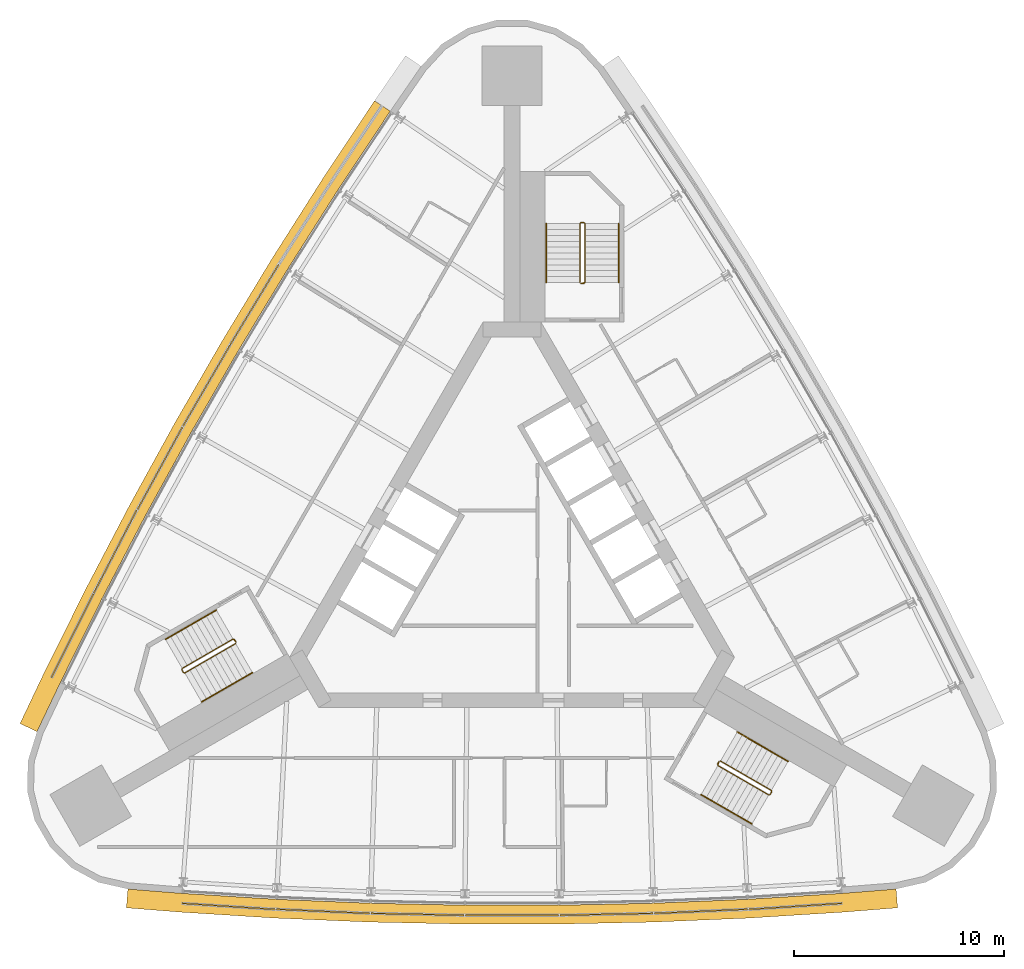
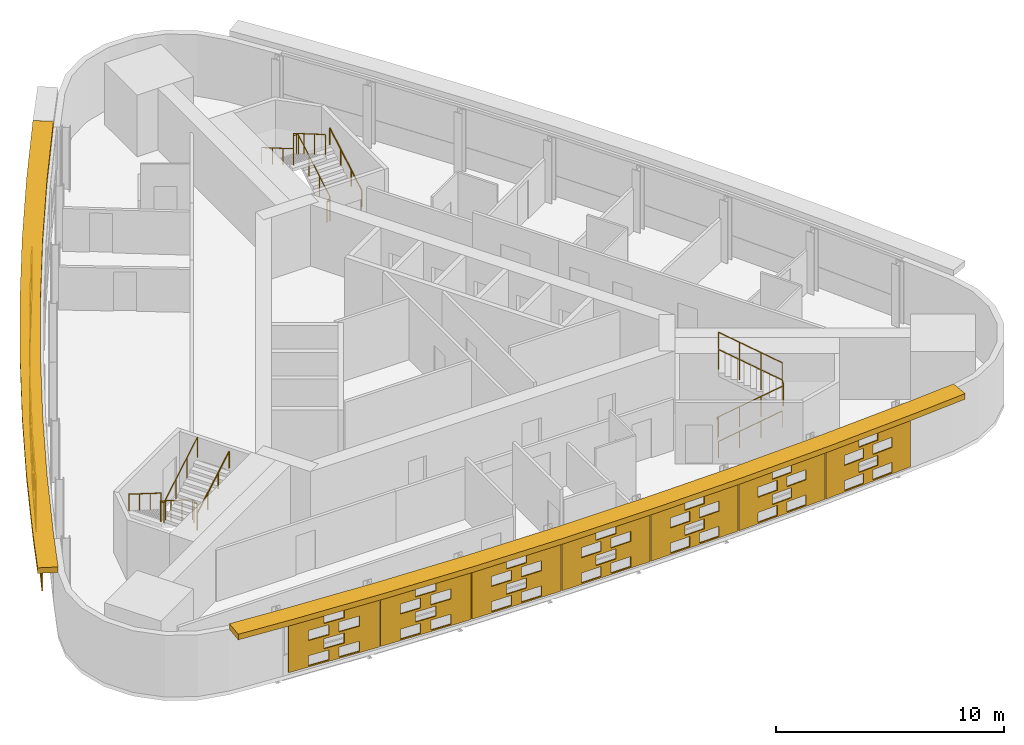
# One storey, part 11 of 12: 14 shading devices, 9 railings.
"""IFC4 building model written with IfcOpenShell, lengths in metres."""

from ifc_helpers import new_model, si_unit, direction, frame, origin, origin_2d, place, context, subcontext, project, spatial, polyline, circle, outline, extrude, material, material_profile, profile_set, type_object, element, save


model = new_model("IFC4")

# Units and contexts
model_context = context("Model", 3, precision=1e-05, world=origin(), true_north=direction((0.0, 1.0)))
body_context = subcontext(model_context, "Body", "Model", "MODEL_VIEW")
ifc_project = project(units=[si_unit("LENGTHUNIT", "METRE"), si_unit("AREAUNIT", "SQUARE_METRE"), si_unit("VOLUMEUNIT", "CUBIC_METRE"), si_unit("PLANEANGLEUNIT", "RADIAN"), si_unit("MASSUNIT", "GRAM", prefix="KILO")], contexts=[model_context])

# Site, building, storey
site_placement = place(None, origin())
site = spatial("IfcSite", under=ifc_project, at=site_placement, CompositionType="ELEMENT")
building_placement = place(site_placement, origin())
building = spatial("IfcBuilding", under=site, at=building_placement, Name="Noor Cloister Tower", CompositionType="ELEMENT")
storey_placement = place(building_placement, frame((0.0, 0.0, 165.300048828125)))
storey = spatial("IfcBuildingStorey", under=building, at=storey_placement, Name="L42", CompositionType="ELEMENT", Elevation=165.300048828125)

# Shading devices
ifc_material_1 = material(Name="Limestone", Category="masonry")
ifc_material_profile = material_profile(ifc_material_1, outline(polyline([(-2.22998046875, -1.35009765625), (2.22998046875, -1.35009765625), (2.22998046875, 1.35009765625), (-2.22998046875, 1.35009765625), (-2.22998046875, -1.35009765625)]), holes=[polyline([(-1.25, -1.282470703125), (-0.25, -1.282470703125), (-0.25, -0.742431640625), (-1.25, -0.742431640625), (-1.25, -1.282470703125)]), polyline([(0.25, -1.282470703125), (1.25, -1.282470703125), (1.25, -0.742431640625), (0.25, -0.742431640625), (0.25, -1.282470703125)]), polyline([(-0.5, -0.607421875), (0.5, -0.607421875), (0.5, -0.0673828125), (-0.5, -0.0673828125), (-0.5, -0.607421875)]), polyline([(-1.25, 0.0673828125), (-0.25, 0.0673828125), (-0.25, 0.607421875), (-1.25, 0.607421875), (-1.25, 0.0673828125)]), polyline([(0.25, 0.0673828125), (1.25, 0.0673828125), (1.25, 0.607421875), (0.25, 0.607421875), (0.25, 0.0673828125)]), polyline([(-0.5, 0.742431640625), (0.5, 0.742431640625), (0.5, 1.282470703125), (-0.5, 1.282470703125), (-0.5, 0.742431640625)])]), Name="Woven screen 30 percent open")
ifc_profile_set = profile_set([ifc_material_profile], Name="Limestone")
shading_device_type_1 = type_object("IfcShadingDeviceType", Name="SCREEN woven limestone 30 percent open", PredefinedType="USERDEFINED", material=ifc_profile_set)
for number, where, z_axis, x_axis, name in (
    (1, (-12.261474609375, 12.28564453125, 1.849853515625), (-0.855690023312, 0.517488728384, 0.0), (-0.517488728384, -0.855690023312, 0.0), "SCREEN L42 3"),
    (2, (-14.556884765625, 8.404296875, 1.849853515625), (-0.86496035152, 0.501840203948, 0.0), (-0.501840203948, -0.86496035152, 0.0), "SCREEN L42 4"),
):
    element("IfcShadingDevice", number, at=place(storey_placement, frame(where, z_axis=z_axis, x_axis=x_axis)), inside=storey, type_object=shading_device_type_1, Name=name, ObjectType="SCREEN", PredefinedType="USERDEFINED", context=body_context, shape_type="SweptSolid", body=[
        extrude(outline(polyline([(-2.22998046875, -1.35009765625), (2.22998046875, -1.35009765625), (2.22998046875, 1.35009765625), (-2.22998046875, 1.35009765625), (-2.22998046875, -1.35009765625)]), holes=[polyline([(-1.25, -1.282470703125), (-0.25, -1.282470703125), (-0.25, -0.742431640625), (-1.25, -0.742431640625), (-1.25, -1.282470703125)]), polyline([(0.25, -1.282470703125), (1.25, -1.282470703125), (1.25, -0.742431640625), (0.25, -0.742431640625), (0.25, -1.282470703125)]), polyline([(-0.5, -0.607421875), (0.5, -0.607421875), (0.5, -0.0673828125), (-0.5, -0.0673828125), (-0.5, -0.607421875)]), polyline([(-1.25, 0.0673828125), (-0.25, 0.0673828125), (-0.25, 0.607421875), (-1.25, 0.607421875), (-1.25, 0.0673828125)]), polyline([(0.25, 0.0673828125), (1.25, 0.0673828125), (1.25, 0.607421875), (0.25, 0.607421875), (0.25, 0.0673828125)]), polyline([(-0.5, 0.742431640625), (0.5, 0.742431640625), (0.5, 1.282470703125), (-0.5, 1.282470703125), (-0.5, 0.742431640625)])]), origin(), (0.0, 0.0, 1.0), 0.059814453125),
    ])
for number, where, z_axis, x_axis, name in (
    (3, (-16.770263671875, 4.47607421875, 1.849853515625), (-0.877584848731, 0.479421352547, 0.0), (-0.479421352547, -0.877584848731, 0.0), "SCREEN L42 5"),
    (4, (-18.901123046875, 0.502197265625, 1.849853515625), (-0.887816162103, 0.460198285861, 0.0), (-0.460198285861, -0.887816162103, 0.0), "SCREEN L42 6"),
    (5, (-20.9482421875, -3.515625, 1.849853515625), (-0.894427191, 0.4472135955, 0.0), (-0.4472135955, -0.894427191, 0.0), "SCREEN L42 7"),
):
    element("IfcShadingDevice", number, at=place(storey_placement, frame(where, z_axis=z_axis, x_axis=x_axis)), inside=storey, type_object=shading_device_type_1, Name=name, ObjectType="SCREEN", PredefinedType="USERDEFINED", context=body_context, shape_type="SweptSolid", body=[
        extrude(outline(polyline([(-2.22998046875, -1.35009765625), (2.22998046875, -1.35009765625), (2.22998046875, 1.35009765625), (-2.22998046875, 1.35009765625), (-2.22998046875, -1.35009765625)]), holes=[polyline([(-1.25, -1.282470703125), (-0.25, -1.282470703125), (-0.25, -0.742431640625), (-1.25, -0.742431640625), (-1.25, -1.282470703125)]), polyline([(0.25, -1.282470703125), (1.25, -1.282470703125), (1.25, -0.742431640625), (0.25, -0.742431640625), (0.25, -1.282470703125)]), polyline([(-0.5, -0.607421875), (0.5, -0.607421875), (0.5, -0.0673828125), (-0.5, -0.0673828125), (-0.5, -0.607421875)]), polyline([(-1.25, 0.0673828125), (-0.25, 0.0673828125), (-0.25, 0.607421875), (-1.25, 0.607421875), (-1.25, 0.0673828125)]), polyline([(0.25, 0.0673828125), (1.25, 0.0673828125), (1.25, 0.607421875), (0.25, 0.607421875), (0.25, 0.0673828125)]), polyline([(-0.5, 0.742431640625), (0.5, 0.742431640625), (0.5, 1.282470703125), (-0.5, 1.282470703125), (-0.5, 0.742431640625)])]), origin(), (0.0, 0.0, 1.0), 0.06005859375),
    ])
shading_device_1_placement = place(storey_placement, frame((-13.5185546875, -16.3837890625, 1.849853515625), z_axis=(-0.064903515062, -0.997891544073, 0.0), x_axis=(0.997891544073, -0.064903515062, 0.0)))
element("IfcShadingDevice", 6, at=shading_device_1_placement, inside=storey, type_object=shading_device_type_1, Name="SCREEN L42 1", ObjectType="SCREEN", PredefinedType="USERDEFINED", context=body_context, shape_type="SweptSolid", body=[
    extrude(outline(polyline([(-2.22998046875, -1.35009765625), (2.22998046875, -1.35009765625), (2.22998046875, 1.35009765625), (-2.22998046875, 1.35009765625), (-2.22998046875, -1.35009765625)]), holes=[polyline([(-1.25, -1.282470703125), (-0.25, -1.282470703125), (-0.25, -0.742431640625), (-1.25, -0.742431640625), (-1.25, -1.282470703125)]), polyline([(0.25, -1.282470703125), (1.25, -1.282470703125), (1.25, -0.742431640625), (0.25, -0.742431640625), (0.25, -1.282470703125)]), polyline([(-0.5, -0.607421875), (0.5, -0.607421875), (0.5, -0.0673828125), (-0.5, -0.0673828125), (-0.5, -0.607421875)]), polyline([(-1.25, 0.0673828125), (-0.25, 0.0673828125), (-0.25, 0.607421875), (-1.25, 0.607421875), (-1.25, 0.0673828125)]), polyline([(0.25, 0.0673828125), (1.25, 0.0673828125), (1.25, 0.607421875), (0.25, 0.607421875), (0.25, 0.0673828125)]), polyline([(-0.5, 0.742431640625), (0.5, 0.742431640625), (0.5, 1.282470703125), (-0.5, 1.282470703125), (-0.5, 0.742431640625)])]), origin(), (0.0, 0.0, 1.0), 0.060302734375),
])
for number, where, z_axis, x_axis, name in (
    (7, (-9.015625, -16.619873046875, 1.849853515625), (-0.044670810456, -0.999001761106, 0.0), (0.999001761106, -0.044670810456, 0.0), "SCREEN L42 2"),
    (8, (-4.5087890625, -16.761474609375, 1.849853515625), (-0.020321006241, -0.999793507033, 0.0), (0.999793507033, -0.020321006241, 0.0), "SCREEN L42 3"),
):
    element("IfcShadingDevice", number, at=place(storey_placement, frame(where, z_axis=z_axis, x_axis=x_axis)), inside=storey, type_object=shading_device_type_1, Name=name, ObjectType="SCREEN", PredefinedType="USERDEFINED", context=body_context, shape_type="SweptSolid", body=[
        extrude(outline(polyline([(-2.22998046875, -1.35009765625), (2.22998046875, -1.35009765625), (2.22998046875, 1.35009765625), (-2.22998046875, 1.35009765625), (-2.22998046875, -1.35009765625)]), holes=[polyline([(-1.25, -1.282470703125), (-0.25, -1.282470703125), (-0.25, -0.742431640625), (-1.25, -0.742431640625), (-1.25, -1.282470703125)]), polyline([(0.25, -1.282470703125), (1.25, -1.282470703125), (1.25, -0.742431640625), (0.25, -0.742431640625), (0.25, -1.282470703125)]), polyline([(-0.5, -0.607421875), (0.5, -0.607421875), (0.5, -0.0673828125), (-0.5, -0.0673828125), (-0.5, -0.607421875)]), polyline([(-1.25, 0.0673828125), (-0.25, 0.0673828125), (-0.25, 0.607421875), (-1.25, 0.607421875), (-1.25, 0.0673828125)]), polyline([(0.25, 0.0673828125), (1.25, 0.0673828125), (1.25, 0.607421875), (0.25, 0.607421875), (0.25, 0.0673828125)]), polyline([(-0.5, 0.742431640625), (0.5, 0.742431640625), (0.5, 1.282470703125), (-0.5, 1.282470703125), (-0.5, 0.742431640625)])]), origin(), (0.0, 0.0, 1.0), 0.06005859375),
    ])
shading_device_2_placement = place(storey_placement, frame((0.0, -16.808837890625, 1.849853515625), z_axis=(0.0, -1.0, 0.0), x_axis=(1.0, 0.0, 0.0)))
element("IfcShadingDevice", 9, at=shading_device_2_placement, inside=storey, type_object=shading_device_type_1, Name="SCREEN L42 4", ObjectType="SCREEN", PredefinedType="USERDEFINED", context=body_context, shape_type="SweptSolid", body=[
    extrude(outline(polyline([(-2.22998046875, -1.35009765625), (2.22998046875, -1.35009765625), (2.22998046875, 1.35009765625), (-2.22998046875, 1.35009765625), (-2.22998046875, -1.35009765625)]), holes=[polyline([(-1.25, -1.282470703125), (-0.25, -1.282470703125), (-0.25, -0.742431640625), (-1.25, -0.742431640625), (-1.25, -1.282470703125)]), polyline([(0.25, -1.282470703125), (1.25, -1.282470703125), (1.25, -0.742431640625), (0.25, -0.742431640625), (0.25, -1.282470703125)]), polyline([(-0.5, -0.607421875), (0.5, -0.607421875), (0.5, -0.0673828125), (-0.5, -0.0673828125), (-0.5, -0.607421875)]), polyline([(-1.25, 0.0673828125), (-0.25, 0.0673828125), (-0.25, 0.607421875), (-1.25, 0.607421875), (-1.25, 0.0673828125)]), polyline([(0.25, 0.0673828125), (1.25, 0.0673828125), (1.25, 0.607421875), (0.25, 0.607421875), (0.25, 0.0673828125)]), polyline([(-0.5, 0.742431640625), (0.5, 0.742431640625), (0.5, 1.282470703125), (-0.5, 1.282470703125), (-0.5, 0.742431640625)])]), origin(), (0.0, 0.0, 1.0), 0.059814453125),
])
for number, where, z_axis, x_axis, name in (
    (10, (4.5087890625, -16.761474609375, 1.849853515625), (0.020321006241, -0.999793507033, 0.0), (0.999793507033, 0.020321006241, 0.0), "SCREEN L42 5"),
    (11, (9.015625, -16.619873046875, 1.849853515625), (0.044670810456, -0.999001761106, 0.0), (0.999001761106, 0.044670810456, 0.0), "SCREEN L42 6"),
):
    element("IfcShadingDevice", number, at=place(storey_placement, frame(where, z_axis=z_axis, x_axis=x_axis)), inside=storey, type_object=shading_device_type_1, Name=name, ObjectType="SCREEN", PredefinedType="USERDEFINED", context=body_context, shape_type="SweptSolid", body=[
        extrude(outline(polyline([(-2.22998046875, -1.35009765625), (2.22998046875, -1.35009765625), (2.22998046875, 1.35009765625), (-2.22998046875, 1.35009765625), (-2.22998046875, -1.35009765625)]), holes=[polyline([(-1.25, -1.282470703125), (-0.25, -1.282470703125), (-0.25, -0.742431640625), (-1.25, -0.742431640625), (-1.25, -1.282470703125)]), polyline([(0.25, -1.282470703125), (1.25, -1.282470703125), (1.25, -0.742431640625), (0.25, -0.742431640625), (0.25, -1.282470703125)]), polyline([(-0.5, -0.607421875), (0.5, -0.607421875), (0.5, -0.0673828125), (-0.5, -0.0673828125), (-0.5, -0.607421875)]), polyline([(-1.25, 0.0673828125), (-0.25, 0.0673828125), (-0.25, 0.607421875), (-1.25, 0.607421875), (-1.25, 0.0673828125)]), polyline([(0.25, 0.0673828125), (1.25, 0.0673828125), (1.25, 0.607421875), (0.25, 0.607421875), (0.25, 0.0673828125)]), polyline([(-0.5, 0.742431640625), (0.5, 0.742431640625), (0.5, 1.282470703125), (-0.5, 1.282470703125), (-0.5, 0.742431640625)])]), origin(), (0.0, 0.0, 1.0), 0.06005859375),
    ])
shading_device_3_placement = place(storey_placement, frame((13.5185546875, -16.3837890625, 1.849853515625), z_axis=(0.064903515062, -0.997891544073, 0.0), x_axis=(0.997891544073, 0.064903515062, 0.0)))
element("IfcShadingDevice", 12, at=shading_device_3_placement, inside=storey, type_object=shading_device_type_1, Name="SCREEN L42 7", ObjectType="SCREEN", PredefinedType="USERDEFINED", context=body_context, shape_type="SweptSolid", body=[
    extrude(outline(polyline([(-2.22998046875, -1.35009765625), (2.22998046875, -1.35009765625), (2.22998046875, 1.35009765625), (-2.22998046875, 1.35009765625), (-2.22998046875, -1.35009765625)]), holes=[polyline([(-1.25, -1.282470703125), (-0.25, -1.282470703125), (-0.25, -0.742431640625), (-1.25, -0.742431640625), (-1.25, -1.282470703125)]), polyline([(0.25, -1.282470703125), (1.25, -1.282470703125), (1.25, -0.742431640625), (0.25, -0.742431640625), (0.25, -1.282470703125)]), polyline([(-0.5, -0.607421875), (0.5, -0.607421875), (0.5, -0.0673828125), (-0.5, -0.0673828125), (-0.5, -0.607421875)]), polyline([(-1.25, 0.0673828125), (-0.25, 0.0673828125), (-0.25, 0.607421875), (-1.25, 0.607421875), (-1.25, 0.0673828125)]), polyline([(0.25, 0.0673828125), (1.25, 0.0673828125), (1.25, 0.607421875), (0.25, 0.607421875), (0.25, 0.0673828125)]), polyline([(-0.5, 0.742431640625), (0.5, 0.742431640625), (0.5, 1.282470703125), (-0.5, 1.282470703125), (-0.5, 0.742431640625)])]), origin(), (0.0, 0.0, 1.0), 0.060302734375),
])
ifc_material_2 = material(Name="Limestone", Category="masonry")
shading_device_type_2 = type_object("IfcShadingDeviceType", Name="SUNSHADE limestone band 900", PredefinedType="USERDEFINED", material=ifc_material_2)
shading_device_4_placement = place(storey_placement, frame((0.0, 0.0, 3.300048828125)))
element("IfcShadingDevice", 13, at=shading_device_4_placement, inside=storey, type_object=shading_device_type_2, Name="SUNSHADE L42 1", ObjectType="SUNSHADE", PredefinedType="USERDEFINED", context=body_context, shape_type="SweptSolid", body=[
    extrude(outline(polyline([(-6.559326171875, 22.0224609375), (-9.0546875, 18.2666015625), (-11.47607421875, 14.451171875), (-13.81689453125, 10.5859375), (-16.076171875, 6.672607421875), (-18.253173828125, 2.712890625), (-20.3466796875, -1.291748046875), (-22.35498046875, -5.33740234375), (-23.47509765625, -7.69091796875), (-22.66259765625, -8.077880859375), (-21.54541015625, -5.73095703125), (-19.544677734375, -1.7001953125), (-17.4599609375, 2.28759765625), (-15.2919921875, 6.23095703125), (-13.0419921875, 10.1279296875), (-10.7109375, 13.97705078125), (-8.2998046875, 17.7763671875), (-5.8095703125, 21.5244140625), (-6.559326171875, 22.0224609375)])), origin(), (0.0, 0.0, 1.0), 0.2998046875),
])
shading_device_5_placement = place(storey_placement, frame((0.0, 0.0, 3.300048828125)))
element("IfcShadingDevice", 14, at=shading_device_5_placement, inside=storey, type_object=shading_device_type_2, Name="SUNSHADE L42 2", ObjectType="SUNSHADE", PredefinedType="USERDEFINED", context=body_context, shape_type="SweptSolid", body=[
    extrude(outline(polyline([(-18.398193359375, -16.484619140625), (-15.7998046875, -16.691162109375), (-11.2919921875, -16.974853515625), (-6.777099609375, -17.1640625), (-2.25927734375, -17.2587890625), (2.25927734375, -17.2587890625), (6.777099609375, -17.1640625), (11.2919921875, -16.974853515625), (15.7998046875, -16.691162109375), (18.398193359375, -16.484619140625), (18.326904296875, -15.58740234375), (15.73583984375, -15.79345703125), (11.244873046875, -16.075927734375), (6.748779296875, -16.264404296875), (2.25, -16.358642578125), (-2.25, -16.358642578125), (-6.748779296875, -16.264404296875), (-11.244873046875, -16.075927734375), (-15.73583984375, -15.79345703125), (-18.326904296875, -15.58740234375), (-18.398193359375, -16.484619140625)])), origin(), (0.0, 0.0, 1.0), 0.2998046875),
])

# Railings
ifc_material_3 = material(Name="Stainless steel", Category="steel")
railing_type_1 = type_object("IfcRailingType", Name="Stair guard 1100", PredefinedType="GUARDRAIL", material=ifc_material_3)
railing_1_placement = place(storey_placement, frame((3.435546875, 13.306396484375, 0.0)))
element("IfcRailing", 15, at=railing_1_placement, inside=storey, type_object=railing_type_1, Name="Stair guard ST1 L42", PredefinedType="GUARDRAIL", context=body_context, shape_type="SweptSolid", body=[
    extrude(circle(Radius=0.02392578125, at=origin_2d()), frame((0.0, 0.0, 1.076171875), z_axis=(-1.0, 0.0, 0.0), x_axis=(0.0, -1.0, 0.0)), (0.0, 0.0, 1.0), 0.14990234375),
    extrude(circle(Radius=0.02392578125, at=origin_2d()), frame((-0.14990234375, 0.0, 1.076171875), z_axis=(0.759870394187, 0.190199549216, 0.621627795), x_axis=(-0.242814311512, 0.970072785993, 0.0)), (0.0, 0.0, 1.0), 0.26318359375),
    extrude(circle(Radius=0.02392578125, at=origin_2d()), frame((0.050048828125, 0.050048828125, 1.23974609375), z_axis=(0.0, 0.863360870873, 0.504586966384), x_axis=(-1.0, 0.0, 0.0)), (0.0, 0.0, 1.0), 3.2431640625),
    extrude(circle(Radius=0.02392578125, at=origin_2d()), frame((0.050048828125, 2.85009765625, 2.8759765625), z_axis=(-0.708833529934, 0.705375805398, 0.0), x_axis=(-0.705375805398, -0.708833529934, 0.0)), (0.0, 0.0, 1.0), 0.070556640625),
    extrude(circle(Radius=0.02392578125, at=origin_2d()), frame((0.0, 2.89990234375, 2.8759765625), z_axis=(-1.0, 0.0, 0.0), x_axis=(0.0, -1.0, 0.0)), (0.0, 0.0, 1.0), 0.14990234375),
    extrude(circle(Radius=0.02392578125, at=origin_2d()), frame((-0.14990234375, 2.89990234375, 2.8759765625), z_axis=(-0.280916556609, -0.279546231943, 0.91811752648), x_axis=(0.705375805398, -0.708833529934, 0.0)), (0.0, 0.0, 1.0), 0.17822265625),
    extrude(circle(Radius=0.02392578125, at=origin_2d()), frame((-0.199951171875, 2.85009765625, 3.03955078125), z_axis=(0.0, -0.863393664356, 0.504530851732), x_axis=(1.0, 0.0, 0.0)), (0.0, 0.0, 1.0), 3.2431640625),
    extrude(circle(Radius=0.02099609375, at=origin_2d()), origin(), (0.0, 0.0, 1.0), 1.052001953125),
    extrude(circle(Radius=0.02099609375, at=origin_2d()), frame((-0.14990234375, 0.0, 0.0)), (0.0, 0.0, 1.0), 1.052001953125),
    extrude(circle(Radius=0.02099609375, at=origin_2d()), frame((0.050048828125, 0.050048828125, 0.16357421875)), (0.0, 0.0, 1.0), 1.052001953125),
    extrude(circle(Radius=0.02099609375, at=origin_2d()), frame((0.050048828125, 0.9833984375, 0.708984375)), (0.0, 0.0, 1.0), 1.052001953125),
    extrude(circle(Radius=0.02099609375, at=origin_2d()), frame((0.050048828125, 1.916748046875, 1.254638671875)), (0.0, 0.0, 1.0), 1.052001953125),
    extrude(circle(Radius=0.02099609375, at=origin_2d()), frame((0.050048828125, 2.85009765625, 1.800048828125)), (0.0, 0.0, 1.0), 1.052001953125),
    extrude(circle(Radius=0.02099609375, at=origin_2d()), frame((0.0, 2.89990234375, 1.800048828125)), (0.0, 0.0, 1.0), 1.052001953125),
    extrude(circle(Radius=0.02099609375, at=origin_2d()), frame((-0.14990234375, 2.89990234375, 1.800048828125)), (0.0, 0.0, 1.0), 1.052001953125),
    extrude(circle(Radius=0.02099609375, at=origin_2d()), frame((-0.199951171875, 2.85009765625, 1.963623046875)), (0.0, 0.0, 1.0), 1.052001953125),
    extrude(circle(Radius=0.02099609375, at=origin_2d()), frame((-0.199951171875, 1.916748046875, 2.509033203125)), (0.0, 0.0, 1.0), 1.052001953125),
    extrude(circle(Radius=0.02099609375, at=origin_2d()), frame((-0.199951171875, 0.9833984375, 3.054443359375)), (0.0, 0.0, 1.0), 1.052001953125),
    extrude(circle(Radius=0.02099609375, at=origin_2d()), frame((-0.199951171875, 0.050048828125, 3.599853515625)), (0.0, 0.0, 1.0), 1.052001953125),
])
railing_2_placement = place(storey_placement, frame((-13.241455078125, -3.677734375, 0.0)))
element("IfcRailing", 16, at=railing_2_placement, inside=storey, type_object=railing_type_1, Name="Stair guard ST2 L42", PredefinedType="GUARDRAIL", context=body_context, shape_type="SweptSolid", body=[
    extrude(circle(Radius=0.02392578125, at=origin_2d()), frame((0.0, 0.0, 1.076171875), z_axis=(0.499112439033, -0.866537231285, 0.0), x_axis=(0.866537231285, 0.499112439033, 0.0)), (0.0, 0.0, 1.0), 0.150146484375),
    extrude(circle(Radius=0.02392578125, at=origin_2d()), frame((0.074951171875, -0.130126953125, 1.076171875), z_axis=(-0.544565797804, 0.563119998752, 0.621565731736), x_axis=(-0.718850276695, -0.695164929852, 0.0)), (0.0, 0.0, 1.0), 0.26318359375),
    extrude(circle(Radius=0.02392578125, at=origin_2d()), frame((-0.068359375, 0.01806640625, 1.23974609375), z_axis=(-0.747689811644, -0.431660630283, 0.504607813879), x_axis=(0.49998411664, -0.866034573852, 0.0)), (0.0, 0.0, 1.0), 3.2431640625),
    extrude(circle(Radius=0.02392578125, at=origin_2d()), frame((-2.4931640625, -1.3818359375, 2.8759765625), z_axis=(-0.258736085224, -0.965948051503, 0.0), x_axis=(0.965948051503, -0.258736085224, 0.0)), (0.0, 0.0, 1.0), 0.07080078125),
    extrude(circle(Radius=0.02392578125, at=origin_2d()), frame((-2.511474609375, -1.4501953125, 2.8759765625), z_axis=(0.499816412211, -0.866131372301, 0.0), x_axis=(0.866131372301, 0.499816412211, 0.0)), (0.0, 0.0, 1.0), 0.14990234375),
    extrude(circle(Radius=0.02392578125, at=origin_2d()), frame((-2.4365234375, -1.580078125, 2.8759765625), z_axis=(0.383552647116, -0.102737316192, 0.917786691313), x_axis=(0.258736085224, 0.965948051503, 0.0)), (0.0, 0.0, 1.0), 0.17822265625),
    extrude(circle(Radius=0.02392578125, at=origin_2d()), frame((-2.3681640625, -1.598388671875, 3.03955078125), z_axis=(0.747693913401, 0.431738279637, 0.504535300807), x_axis=(-0.500049511043, 0.865996816683, 0.0)), (0.0, 0.0, 1.0), 3.2431640625),
    extrude(circle(Radius=0.02099609375, at=origin_2d()), origin(), (0.0, 0.0, 1.0), 1.052001953125),
    extrude(circle(Radius=0.02099609375, at=origin_2d()), frame((0.074951171875, -0.130126953125, 0.0)), (0.0, 0.0, 1.0), 1.052001953125),
    extrude(circle(Radius=0.02099609375, at=origin_2d()), frame((-0.068359375, 0.01806640625, 0.16357421875)), (0.0, 0.0, 1.0), 1.052001953125),
    extrude(circle(Radius=0.02099609375, at=origin_2d()), frame((-0.876708984375, -0.448486328125, 0.708984375)), (0.0, 0.0, 1.0), 1.052001953125),
    extrude(circle(Radius=0.02099609375, at=origin_2d()), frame((-1.684814453125, -0.915283203125, 1.254638671875)), (0.0, 0.0, 1.0), 1.052001953125),
    extrude(circle(Radius=0.02099609375, at=origin_2d()), frame((-2.4931640625, -1.3818359375, 1.800048828125)), (0.0, 0.0, 1.0), 1.052001953125),
    extrude(circle(Radius=0.02099609375, at=origin_2d()), frame((-2.511474609375, -1.4501953125, 1.800048828125)), (0.0, 0.0, 1.0), 1.052001953125),
    extrude(circle(Radius=0.02099609375, at=origin_2d()), frame((-2.4365234375, -1.580078125, 1.800048828125)), (0.0, 0.0, 1.0), 1.052001953125),
    extrude(circle(Radius=0.02099609375, at=origin_2d()), frame((-2.3681640625, -1.598388671875, 1.963623046875)), (0.0, 0.0, 1.0), 1.052001953125),
    extrude(circle(Radius=0.02099609375, at=origin_2d()), frame((-1.559814453125, -1.131591796875, 2.509033203125)), (0.0, 0.0, 1.0), 1.052001953125),
    extrude(circle(Radius=0.02099609375, at=origin_2d()), frame((-0.751708984375, -0.6650390625, 3.054443359375)), (0.0, 0.0, 1.0), 1.052001953125),
    extrude(circle(Radius=0.02099609375, at=origin_2d()), frame((0.056640625, -0.1982421875, 3.599853515625)), (0.0, 0.0, 1.0), 1.052001953125),
])
railing_3_placement = place(storey_placement, frame((9.805908203125, -9.628662109375, 0.0)))
element("IfcRailing", 17, at=railing_3_placement, inside=storey, type_object=railing_type_1, Name="Stair guard ST3 L42", PredefinedType="GUARDRAIL", context=body_context, shape_type="SweptSolid", body=[
    extrude(circle(Radius=0.02392578125, at=origin_2d()), frame((0.0, 0.0, 1.076171875), z_axis=(0.499112439033, 0.866537231285, 0.0), x_axis=(-0.866537231285, 0.499112439033, 0.0)), (0.0, 0.0, 1.0), 0.150146484375),
    extrude(circle(Radius=0.02392578125, at=origin_2d()), frame((0.074951171875, 0.130126953125, 1.076171875), z_axis=(-0.215214839654, -0.753251938789, 0.621525614518), x_axis=(0.961523947641, -0.274721127897, 0.0)), (0.0, 0.0, 1.0), 0.26318359375),
    extrude(circle(Radius=0.02392578125, at=origin_2d()), frame((0.018310546875, -0.068115234375, 1.23974609375), z_axis=(0.747665513933, -0.431721881032, 0.504591415616), x_axis=(0.500049511043, 0.865996816683, 0.0)), (0.0, 0.0, 1.0), 3.2431640625),
    extrude(circle(Radius=0.02392578125, at=origin_2d()), frame((2.443115234375, -1.46826171875, 2.8759765625), z_axis=(0.965948051503, 0.258736085224, 0.0), x_axis=(-0.258736085224, 0.965948051503, 0.0)), (0.0, 0.0, 1.0), 0.07080078125),
    extrude(circle(Radius=0.02392578125, at=origin_2d()), frame((2.511474609375, -1.449951171875, 2.8759765625), z_axis=(0.499816412211, 0.866131372301, 0.0), x_axis=(-0.866131372301, 0.499816412211, 0.0)), (0.0, 0.0, 1.0), 0.14990234375),
    extrude(circle(Radius=0.02392578125, at=origin_2d()), frame((2.58642578125, -1.320068359375, 2.8759765625), z_axis=(-0.102737316192, 0.383552647116, 0.917786691313), x_axis=(-0.965948051503, -0.258736085224, 0.0)), (0.0, 0.0, 1.0), 0.17822265625),
    extrude(circle(Radius=0.02392578125, at=origin_2d()), frame((2.568115234375, -1.251708984375, 3.03955078125), z_axis=(-0.74771821388, 0.431677027627, 0.504551698492), x_axis=(-0.49998411664, -0.866034573852, 0.0)), (0.0, 0.0, 1.0), 3.242919921875),
    extrude(circle(Radius=0.02099609375, at=origin_2d()), origin(), (0.0, 0.0, 1.0), 1.052001953125),
    extrude(circle(Radius=0.02099609375, at=origin_2d()), frame((0.074951171875, 0.130126953125, 0.0)), (0.0, 0.0, 1.0), 1.052001953125),
    extrude(circle(Radius=0.02099609375, at=origin_2d()), frame((0.018310546875, -0.068115234375, 0.16357421875)), (0.0, 0.0, 1.0), 1.052001953125),
    extrude(circle(Radius=0.02099609375, at=origin_2d()), frame((0.82666015625, -0.534912109375, 0.708984375)), (0.0, 0.0, 1.0), 1.052001953125),
    extrude(circle(Radius=0.02099609375, at=origin_2d()), frame((1.634765625, -1.00146484375, 1.254638671875)), (0.0, 0.0, 1.0), 1.052001953125),
    extrude(circle(Radius=0.02099609375, at=origin_2d()), frame((2.443115234375, -1.46826171875, 1.800048828125)), (0.0, 0.0, 1.0), 1.052001953125),
    extrude(circle(Radius=0.02099609375, at=origin_2d()), frame((2.511474609375, -1.449951171875, 1.800048828125)), (0.0, 0.0, 1.0), 1.052001953125),
    extrude(circle(Radius=0.02099609375, at=origin_2d()), frame((2.58642578125, -1.320068359375, 1.800048828125)), (0.0, 0.0, 1.0), 1.052001953125),
    extrude(circle(Radius=0.02099609375, at=origin_2d()), frame((2.568115234375, -1.251708984375, 1.963623046875)), (0.0, 0.0, 1.0), 1.052001953125),
    extrude(circle(Radius=0.02099609375, at=origin_2d()), frame((1.759765625, -0.78515625, 2.509033203125)), (0.0, 0.0, 1.0), 1.052001953125),
    extrude(circle(Radius=0.02099609375, at=origin_2d()), frame((0.95166015625, -0.318359375, 3.054443359375)), (0.0, 0.0, 1.0), 1.052001953125),
    extrude(circle(Radius=0.02099609375, at=origin_2d()), frame((0.143310546875, 0.148193359375, 3.599853515625)), (0.0, 0.0, 1.0), 1.052001953125),
])
ifc_material_4 = material(Name="Stainless steel", Category="steel")
railing_type_2 = type_object("IfcRailingType", Name="Stair handrail 900", PredefinedType="HANDRAIL", material=ifc_material_4)
railing_4_placement = place(storey_placement, frame((5.085693359375, 13.3564453125, 0.16357421875)))
element("IfcRailing", 18, at=railing_4_placement, inside=storey, type_object=railing_type_2, Name="Stair handrail ST1 L42 1", PredefinedType="HANDRAIL", context=body_context, shape_type="SweptSolid", body=[
    extrude(circle(Radius=0.02392578125, at=origin_2d()), frame((0.0, 0.0, 0.8759765625), z_axis=(0.0, 0.863360870873, 0.504586966384), x_axis=(-1.0, 0.0, 0.0)), (0.0, 0.0, 1.0), 3.2431640625),
    extrude(circle(Radius=0.02099609375, at=origin_2d()), origin(), (0.0, 0.0, 1.0), 0.851806640625),
    extrude(circle(Radius=0.02099609375, at=origin_2d()), frame((0.0, 0.933349609375, 0.54541015625)), (0.0, 0.0, 1.0), 0.851806640625),
    extrude(circle(Radius=0.02099609375, at=origin_2d()), frame((0.0, 1.86669921875, 1.091064453125)), (0.0, 0.0, 1.0), 0.851806640625),
    extrude(circle(Radius=0.02099609375, at=origin_2d()), frame((0.0, 2.800048828125, 1.636474609375)), (0.0, 0.0, 1.0), 0.851806640625),
])
railing_5_placement = place(storey_placement, frame((1.6357421875, 16.156494140625, 1.963623046875)))
element("IfcRailing", 19, at=railing_5_placement, inside=storey, type_object=railing_type_2, Name="Stair handrail ST1 L42 2", PredefinedType="HANDRAIL", context=body_context, shape_type="SweptSolid", body=[
    extrude(circle(Radius=0.02392578125, at=origin_2d()), frame((0.0, 0.0, 0.8759765625), z_axis=(0.0, -0.863393664356, 0.504530851732), x_axis=(1.0, 0.0, 0.0)), (0.0, 0.0, 1.0), 3.2431640625),
    extrude(circle(Radius=0.02099609375, at=origin_2d()), origin(), (0.0, 0.0, 1.0), 0.851806640625),
    extrude(circle(Radius=0.02099609375, at=origin_2d()), frame((0.0, -0.933349609375, 0.54541015625)), (0.0, 0.0, 1.0), 0.851806640625),
    extrude(circle(Radius=0.02099609375, at=origin_2d()), frame((0.0, -1.86669921875, 1.0908203125)), (0.0, 0.0, 1.0), 0.851806640625),
    extrude(circle(Radius=0.02099609375, at=origin_2d()), frame((0.0, -2.800048828125, 1.63623046875)), (0.0, 0.0, 1.0), 0.851806640625),
])
railing_6_placement = place(storey_placement, frame((-14.10986328125, -2.27392578125, 0.16357421875)))
element("IfcRailing", 20, at=railing_6_placement, inside=storey, type_object=railing_type_2, Name="Stair handrail ST2 L42 1", PredefinedType="HANDRAIL", context=body_context, shape_type="SweptSolid", body=[
    extrude(circle(Radius=0.02392578125, at=origin_2d()), frame((0.0, 0.0, 0.8759765625), z_axis=(-0.747689811644, -0.431660630283, 0.504607813879), x_axis=(0.49998411664, -0.866034573852, 0.0)), (0.0, 0.0, 1.0), 3.2431640625),
    extrude(circle(Radius=0.02099609375, at=origin_2d()), origin(), (0.0, 0.0, 1.0), 0.851806640625),
    extrude(circle(Radius=0.02099609375, at=origin_2d()), frame((-0.808349609375, -0.466552734375, 0.54541015625)), (0.0, 0.0, 1.0), 0.851806640625),
    extrude(circle(Radius=0.02099609375, at=origin_2d()), frame((-1.616455078125, -0.933349609375, 1.091064453125)), (0.0, 0.0, 1.0), 0.851806640625),
    extrude(circle(Radius=0.02099609375, at=origin_2d()), frame((-2.4248046875, -1.39990234375, 1.636474609375)), (0.0, 0.0, 1.0), 0.851806640625),
])
railing_7_placement = place(storey_placement, frame((-14.8095703125, -6.66162109375, 1.963623046875)))
element("IfcRailing", 21, at=railing_7_placement, inside=storey, type_object=railing_type_2, Name="Stair handrail ST2 L42 2", PredefinedType="HANDRAIL", context=body_context, shape_type="SweptSolid", body=[
    extrude(circle(Radius=0.02392578125, at=origin_2d()), frame((0.0, 0.0, 0.8759765625), z_axis=(0.74771821388, 0.431677027627, 0.504551698492), x_axis=(-0.49998411664, 0.866034573852, 0.0)), (0.0, 0.0, 1.0), 3.242919921875),
    extrude(circle(Radius=0.02099609375, at=origin_2d()), origin(), (0.0, 0.0, 1.0), 0.851806640625),
    extrude(circle(Radius=0.02099609375, at=origin_2d()), frame((0.808349609375, 0.466552734375, 0.54541015625)), (0.0, 0.0, 1.0), 0.851806640625),
    extrude(circle(Radius=0.02099609375, at=origin_2d()), frame((1.616455078125, 0.933349609375, 1.0908203125)), (0.0, 0.0, 1.0), 0.851806640625),
    extrude(circle(Radius=0.02099609375, at=origin_2d()), frame((2.4248046875, 1.39990234375, 1.63623046875)), (0.0, 0.0, 1.0), 0.851806640625),
])
railing_8_placement = place(storey_placement, frame((9.024169921875, -11.08251953125, 0.16357421875)))
element("IfcRailing", 22, at=railing_8_placement, inside=storey, type_object=railing_type_2, Name="Stair handrail ST3 L42 1", PredefinedType="HANDRAIL", context=body_context, shape_type="SweptSolid", body=[
    extrude(circle(Radius=0.02392578125, at=origin_2d()), frame((0.0, 0.0, 0.8759765625), z_axis=(0.747689811644, -0.431660630283, 0.504607813879), x_axis=(0.49998411664, 0.866034573852, 0.0)), (0.0, 0.0, 1.0), 3.2431640625),
    extrude(circle(Radius=0.02099609375, at=origin_2d()), origin(), (0.0, 0.0, 1.0), 0.851806640625),
    extrude(circle(Radius=0.02099609375, at=origin_2d()), frame((0.808349609375, -0.466552734375, 0.54541015625)), (0.0, 0.0, 1.0), 0.851806640625),
    extrude(circle(Radius=0.02099609375, at=origin_2d()), frame((1.616455078125, -0.933349609375, 1.091064453125)), (0.0, 0.0, 1.0), 0.851806640625),
    extrude(circle(Radius=0.02099609375, at=origin_2d()), frame((2.4248046875, -1.39990234375, 1.636474609375)), (0.0, 0.0, 1.0), 0.851806640625),
])
railing_9_placement = place(storey_placement, frame((13.174072265625, -9.49462890625, 1.963623046875)))
element("IfcRailing", 23, at=railing_9_placement, inside=storey, type_object=railing_type_2, Name="Stair handrail ST3 L42 2", PredefinedType="HANDRAIL", context=body_context, shape_type="SweptSolid", body=[
    extrude(circle(Radius=0.02392578125, at=origin_2d()), frame((0.0, 0.0, 0.8759765625), z_axis=(-0.74771821388, 0.431677027627, 0.504551698492), x_axis=(-0.49998411664, -0.866034573852, 0.0)), (0.0, 0.0, 1.0), 3.242919921875),
    extrude(circle(Radius=0.02099609375, at=origin_2d()), origin(), (0.0, 0.0, 1.0), 0.851806640625),
    extrude(circle(Radius=0.02099609375, at=origin_2d()), frame((-0.808349609375, 0.466552734375, 0.54541015625)), (0.0, 0.0, 1.0), 0.851806640625),
    extrude(circle(Radius=0.02099609375, at=origin_2d()), frame((-1.616455078125, 0.933349609375, 1.0908203125)), (0.0, 0.0, 1.0), 0.851806640625),
    extrude(circle(Radius=0.02099609375, at=origin_2d()), frame((-2.4248046875, 1.39990234375, 1.63623046875)), (0.0, 0.0, 1.0), 0.851806640625),
])

save(model, "model.ifc")
